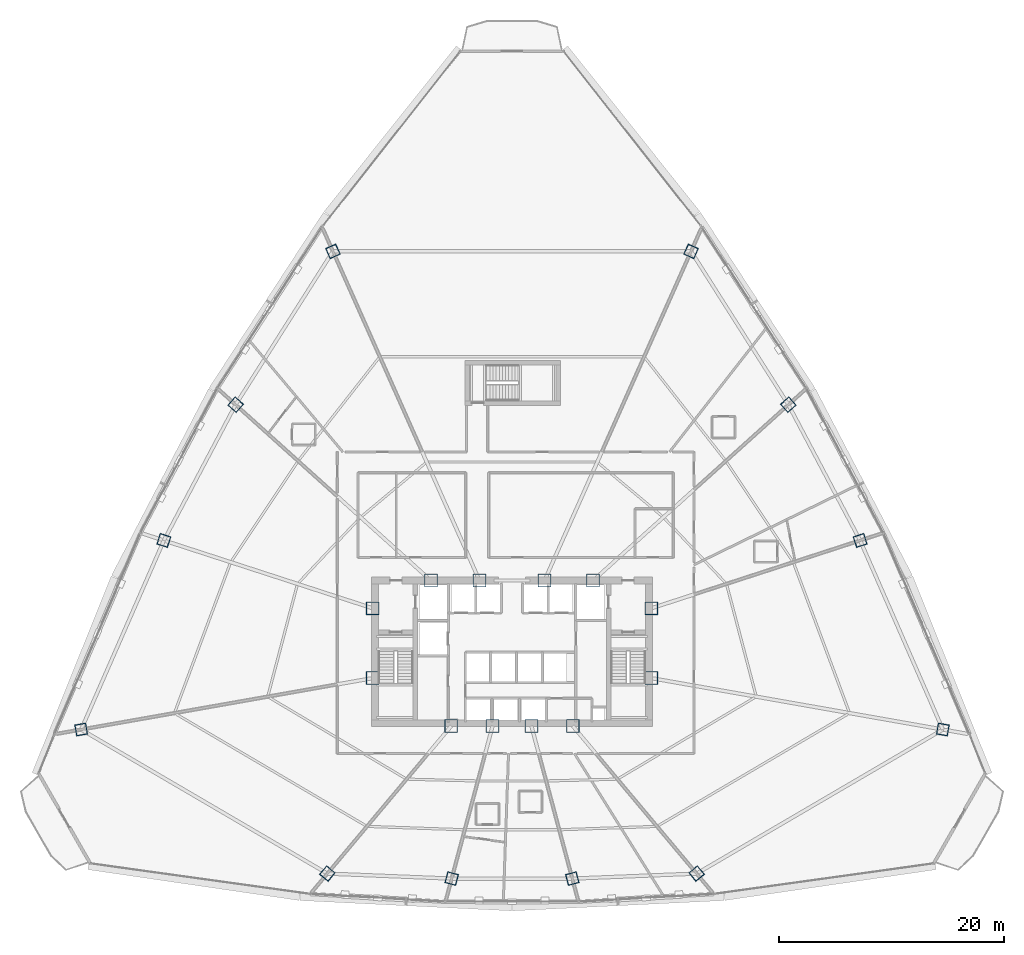
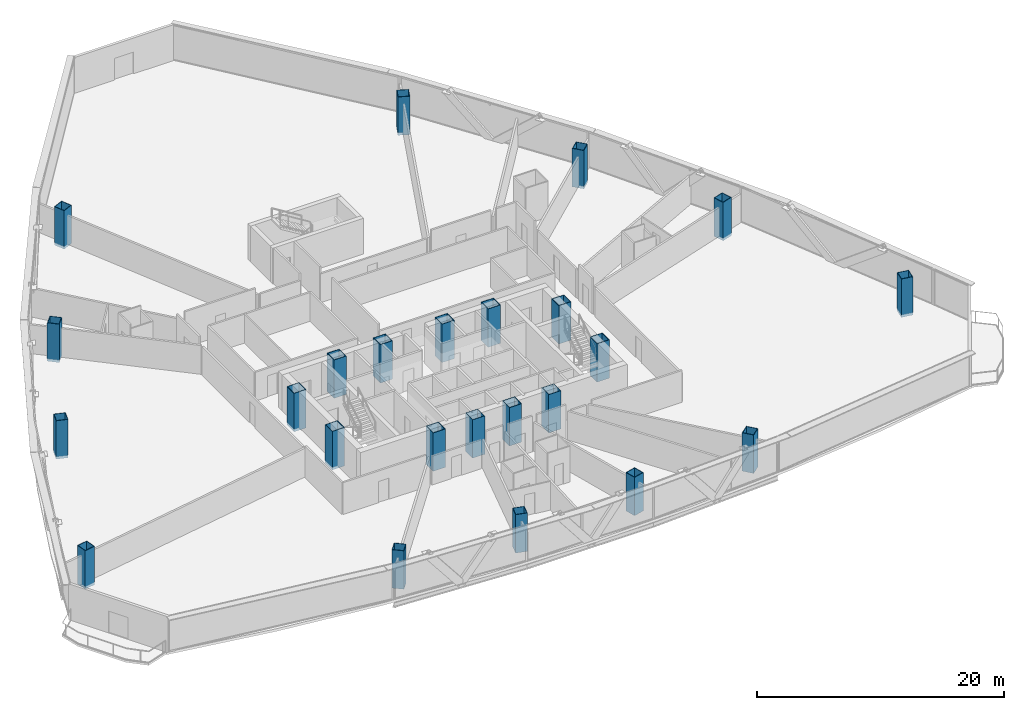
# One storey, part 1 of 37: 24 columns.
"""IFC4 building model written with IfcOpenShell, lengths in metres."""

from ifc_helpers import new_model, si_unit, direction, frame, origin, origin_2d, place, context, subcontext, project, spatial, hollow_rectangle, extrude, source, transform, mapped, material, material_profile, profile_set, type_object, element, save


model = new_model("IFC4")

# Units and contexts
model_context = context("Model", 3, precision=1e-05, world=origin(), true_north=direction((0.0, 1.0)))
body_context = subcontext(model_context, "Body", "Model", "MODEL_VIEW")
ifc_project = project(units=[si_unit("LENGTHUNIT", "METRE"), si_unit("AREAUNIT", "SQUARE_METRE"), si_unit("VOLUMEUNIT", "CUBIC_METRE"), si_unit("PLANEANGLEUNIT", "RADIAN"), si_unit("MASSUNIT", "GRAM", prefix="KILO"), si_unit("THERMODYNAMICTEMPERATUREUNIT", "KELVIN"), si_unit("POWERUNIT", "WATT")], contexts=[model_context])

# Site, building, storey
site_placement = place(None, origin())
site = spatial("IfcSite", under=ifc_project, at=site_placement, CompositionType="ELEMENT")
building_placement = place(site_placement, origin())
building = spatial("IfcBuilding", under=site, at=building_placement, Name="Yunzhuo Pagoda Commons", CompositionType="ELEMENT")
storey_placement = place(building_placement, frame((0.0, 0.0, 88.780029296875)))
storey = spatial("IfcBuildingStorey", under=building, at=storey_placement, Name="L22", CompositionType="ELEMENT", Elevation=88.780029296875)

# Columns
ifc_material = material(Name="Structural steel Q420B", Category="steel")
ifc_material_profile_1 = material_profile(ifc_material, hollow_rectangle(XDim=1.14990234375, YDim=1.14990234375, WallThickness=0.048095703125, at=origin_2d()), Name="Structural steel Q420B")
ifc_profile_set_1 = profile_set([ifc_material_profile_1], Name="Structural steel Q420B")
column_type_1 = type_object("IfcColumnType", Name="C-COR Column BOX 1150x1150x48", PredefinedType="COLUMN", material=ifc_profile_set_1)
shared_shape_1 = source(origin(), body_context, "Body", "SweptSolid", [
    extrude(hollow_rectangle(XDim=1.14990234375, YDim=1.14990234375, WallThickness=0.048095703125, at=origin_2d()), origin(), (0.0, 0.0, 1.0), 3.7998046875),
])
for number, where, z_axis, x_axis, name in (
    (1, (42.587890625, 27.25, -0.259765625), (0.0, 0.0, 1.0), (1.0, 0.0, 0.0), "L22 core composite column F1C1"),
    (2, (46.27197265625, 27.25, -0.259765625), (0.0, 0.0, 1.0), (1.0, 0.0, 0.0), "L22 core composite column F1C2"),
    (3, (49.728515625, 27.25, -0.259765625), (0.0, 0.0, 1.0), (1.0, 0.0, 0.0), "L22 core composite column F1C3"),
    (4, (53.412109375, 27.25, -0.259765625), (0.0, 0.0, 1.0), (1.0, 0.0, 0.0), "L22 core composite column F1C4"),
    (5, (60.39990234375, 31.513427734375, -0.259765625), (0.0, 0.0, 1.0), (1.0, 0.0, 0.0), "L22 core composite column F2C1"),
    (6, (60.39990234375, 37.72900390625, -0.259765625), (0.0, 0.0, 1.0), (1.0, 0.0, 0.0), "L22 core composite column F2C2"),
    (7, (55.218994140625, 40.199951171875, -0.259765625), (0.0, 0.0, 1.0), (1.0, 0.0, 0.0), "L22 core composite column F2C3"),
    (8, (50.89404296875, 40.199951171875, -0.259765625), (0.0, 0.0, 1.0), (1.0, 0.0, 0.0), "L22 core composite column F2C4"),
    (9, (45.10595703125, 40.199951171875, -0.259765625), (0.0, 0.0, 1.0), (1.0, 0.0, 0.0), "L22 core composite column F3C1"),
    (10, (40.781005859375, 40.199951171875, -0.259765625), (0.0, 0.0, 1.0), (1.0, 0.0, 0.0), "L22 core composite column F3C2"),
    (11, (35.60009765625, 37.72900390625, -0.259765625), (0.0, 0.0, 1.0), (1.0, 0.0, 0.0), "L22 core composite column F3C3"),
    (12, (35.60009765625, 31.513427734375, -0.259765625), (0.0, 0.0, 1.0), (1.0, 0.0, 0.0), "L22 core composite column F3C4"),
):
    element("IfcColumn", number, at=place(storey_placement, frame(where, z_axis=z_axis, x_axis=x_axis)), inside=storey, type_object=column_type_1, Name=name, PredefinedType="COLUMN", context=body_context, shape_type="MappedRepresentation", body=[
        mapped(shared_shape_1, transform((0.0, 0.0, 0.0), scale=1.0)),
    ])
ifc_material_profile_2 = material_profile(ifc_material, hollow_rectangle(XDim=1.0, YDim=1.0, WallThickness=0.0419921875, at=origin_2d()), Name="Structural steel Q420B")
ifc_profile_set_2 = profile_set([ifc_material_profile_2], Name="Structural steel Q420B")
column_type_2 = type_object("IfcColumnType", Name="C-Z2 Column BOX 1000x1000x42", PredefinedType="COLUMN", material=ifc_profile_set_2)
shared_shape_2 = source(origin(), body_context, "Body", "SweptSolid", [
    extrude(hollow_rectangle(XDim=1.0, YDim=1.0, WallThickness=0.0419921875, at=origin_2d()), origin(), (0.0, 0.0, 1.0), 3.7998046875),
])
for number, where, z_axis, x_axis, name in (
    (13, (31.56396484375, 14.1123046875, -0.259765625), (0.0, 0.0, 1.0), (0.766044443119, -0.642787609687, 0.0), "L22 tower column F1C1"),
    (14, (42.632568359375, 13.66845703125, -0.259765625), (0.0, 0.0, 1.0), (0.965925826289, -0.258819045103, 0.0), "L22 tower column F1C2"),
    (15, (53.367431640625, 13.66845703125, -0.259765625), (0.0, 0.0, 1.0), (0.965925826289, 0.258819045103, 0.0), "L22 tower column F1C3"),
    (16, (64.43603515625, 14.1123046875, -0.259765625), (0.0, 0.0, 1.0), (0.766044443119, 0.642787609687, 0.0), "L22 tower column F1C4"),
    (17, (86.352783203125, 26.9375, -0.259765625), (0.0, 0.0, 1.0), (0.173648177667, 0.984807753012, 0.0), "L22 tower column F2C1"),
    (18, (78.99072265625, 43.76953125, -0.259765625), (0.0, 0.0, 1.0), (-0.309016994375, 0.951056516295, 0.0), "L22 tower column F2C2"),
    (19, (72.602783203125, 55.852294921875, -0.259765625), (0.0, 0.0, 1.0), (-0.669130606359, 0.743144825477, 0.0), "L22 tower column F2C3"),
    (20, (63.94140625, 69.505126953125, -0.259765625), (0.0, 0.0, 1.0), (-0.913545457643, 0.406736643076, 0.0), "L22 tower column F2C4"),
    (21, (32.05859375, 69.505126953125, -0.259765625), (0.0, 0.0, 1.0), (-0.913545457643, -0.406736643076, 0.0), "L22 tower column F3C1"),
    (22, (23.397216796875, 55.852294921875, -0.259765625), (0.0, 0.0, 1.0), (-0.669130606359, -0.743144825477, 0.0), "L22 tower column F3C2"),
    (23, (17.00927734375, 43.76953125, -0.259765625), (0.0, 0.0, 1.0), (-0.309016994375, -0.951056516295, 0.0), "L22 tower column F3C3"),
    (24, (9.647216796875, 26.9375, -0.259765625), (0.0, 0.0, 1.0), (0.173648177667, -0.984807753012, 0.0), "L22 tower column F3C4"),
):
    element("IfcColumn", number, at=place(storey_placement, frame(where, z_axis=z_axis, x_axis=x_axis)), inside=storey, type_object=column_type_2, Name=name, PredefinedType="COLUMN", context=body_context, shape_type="MappedRepresentation", body=[
        mapped(shared_shape_2, transform((0.0, 0.0, 0.0), scale=1.0)),
    ])

save(model, "model.ifc")
